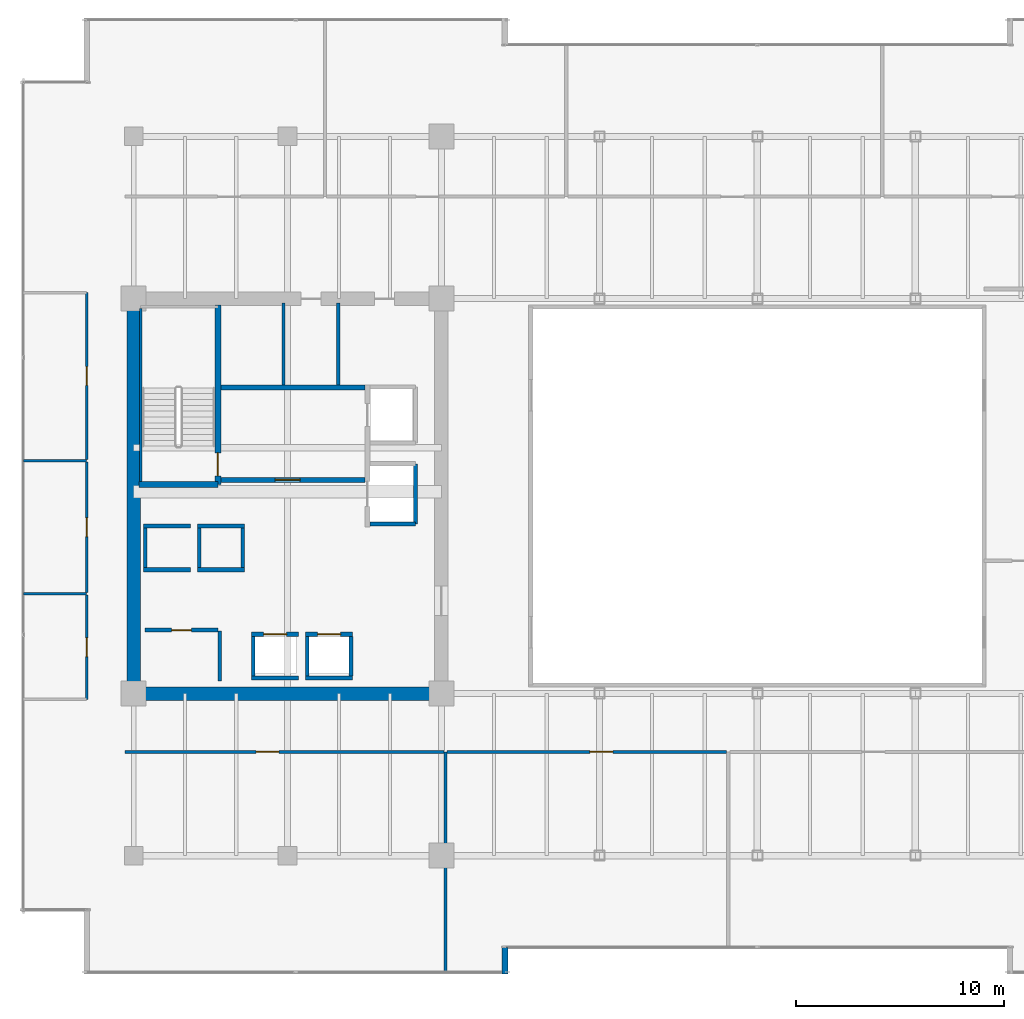
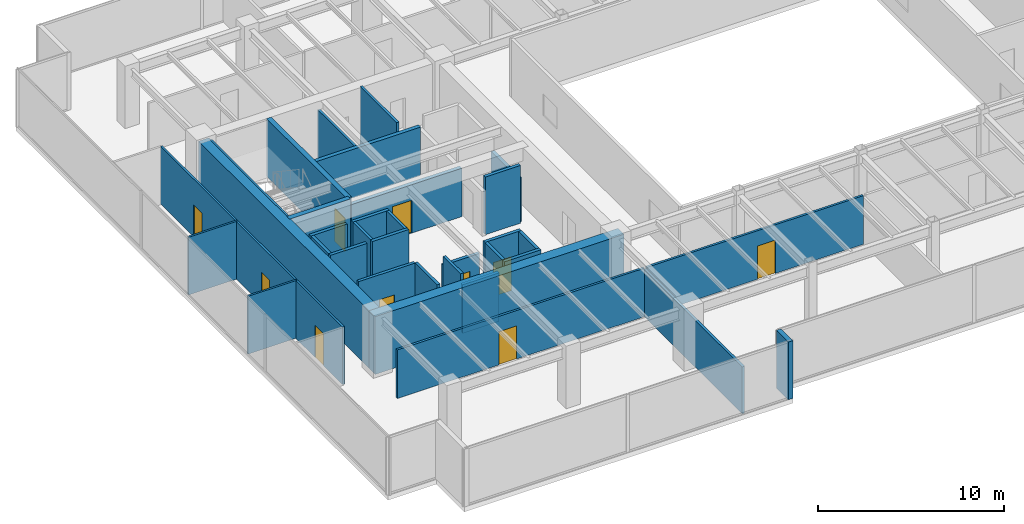
# One storey, part 25 of 31: 36 walls, 10 doors, 10 openings.
"""IFC4 building model written with IfcOpenShell, lengths in metres."""

from ifc_helpers import new_model, si_unit, direction, frame, frame_2d, origin, place, context, subcontext, project, spatial, rectangle, extrude, source, transform, mapped, material, layer, layer_set, type_object, type_shapes, element, fill, save


model = new_model("IFC4")

# Units and contexts
model_context = context("Model", 3, precision=1e-05, world=origin(), true_north=direction((0.0, 1.0)))
body_context = subcontext(model_context, "Body", "Model", "MODEL_VIEW")
ifc_project = project(units=[si_unit("LENGTHUNIT", "METRE"), si_unit("AREAUNIT", "SQUARE_METRE"), si_unit("VOLUMEUNIT", "CUBIC_METRE"), si_unit("PLANEANGLEUNIT", "RADIAN"), si_unit("MASSUNIT", "GRAM", prefix="KILO")], contexts=[model_context])

# Site, building, storey
site_placement = place(None, origin())
site = spatial("IfcSite", under=ifc_project, at=site_placement, CompositionType="ELEMENT")
building_placement = place(site_placement, origin())
building = spatial("IfcBuilding", under=site, at=building_placement, Name="Haelvirn Gate Laboratories", CompositionType="ELEMENT")
storey_placement = place(building_placement, frame((0.0, 0.0, 174.800048828125)))
storey = spatial("IfcBuildingStorey", under=building, at=storey_placement, Name="L42", CompositionType="ELEMENT", Elevation=174.800048828125)

# Walls
ifc_material_1 = material(Name="Thermally-broken bronze aluminium rainscreen & mineral wool", Category="aluminium")
ifc_layer_1 = layer(ifc_material_1, 0.280029296875, Name="EW-TERR-280")
ifc_layer_set_1 = layer_set([ifc_layer_1], Name="Thermally-broken bronze aluminium rainscreen & mineral wool")
wall_type_1 = type_object("IfcWallType", Name="EW-TERR-280", PredefinedType="STANDARD", material=ifc_layer_set_1)
wall_1_placement = place(storey_placement, frame((25.260009765625, 1.300048828125, 0.0), z_axis=(0.0, 0.0, 1.0), x_axis=(0.0, 1.0, 0.0)))
element("IfcWall", 1, at=wall_1_placement, inside=storey, type_object=wall_type_1, Name="L42 Atrium Recess Bronze Return Wall 01", PredefinedType="STANDARD", context=body_context, shape_type="SweptSolid", body=[
    extrude(rectangle(XDim=1.287841796875, YDim=0.280029296875, at=frame_2d((0.64404296875, 0.0))), origin(), (0.0, 0.0, 1.0), 3.7900390625),
])
ifc_material_2 = material(Name="Double-layer acoustic gypsum laboratory partition", Category="gypsum")
ifc_layer_2 = layer(ifc_material_2, 0.159912109375, Name="IW-ACOUST-160")
ifc_layer_set_2 = layer_set([ifc_layer_2], Name="Double-layer acoustic gypsum laboratory partition")
wall_type_2 = type_object("IfcWallType", Name="IW-ACOUST-160", PredefinedType="PARTITIONING", material=ifc_layer_set_2)
wall_2_placement = place(storey_placement, frame((22.39990234375, 1.409912109375, 0.0), z_axis=(0.0, 0.0, 1.0), x_axis=(0.0, 1.0, 0.0)))
element("IfcWall", 2, at=wall_2_placement, inside=storey, type_object=wall_type_2, Name="L42 Interior Wall IW-L42-SDIV-01", PredefinedType="PARTITIONING", context=body_context, shape_type="SweptSolid", body=[
    extrude(rectangle(XDim=10.580078125, YDim=0.159912109375, at=frame_2d((5.2900390625, 0.0))), origin(), (0.0, 0.0, 1.0), 3.074951171875),
])

# Wall, opening, door
ifc_material_3 = material(Name="Lightweight acoustic gypsum board partition", Category="gypsum")
ifc_layer_3 = layer(ifc_material_3, 0.1201171875, Name="IW-PART-120")
ifc_layer_set_3 = layer_set([ifc_layer_3], Name="Lightweight acoustic gypsum board partition")
wall_type_3 = type_object("IfcWallType", Name="IW-PART-120", PredefinedType="PARTITIONING", material=ifc_layer_set_3)
wall_3_placement = place(storey_placement, frame((5.1298828125, 14.514892578125, 0.0), z_axis=(0.0, 0.0, 1.0), x_axis=(0.0, 1.0, 0.0)))
wall_3 = element("IfcWall", 3, at=wall_3_placement, inside=storey, type_object=wall_type_3, Name="L42 Interior Wall IW-L42-WPASS-01", PredefinedType="PARTITIONING", context=body_context, shape_type="SweptSolid", body=[
    extrude(rectangle(XDim=5.025146484375, YDim=0.1201171875, at=frame_2d((2.5126953125, 0.0))), origin(), (0.0, 0.0, 1.0), 3.7900390625),
])
opening_1_placement = place(wall_3_placement, frame((2.0625, 0.0, 0.0)))
opening_1 = element("IfcOpeningElement", 4, at=opening_1_placement, cuts=wall_3, Name="Opening D4", PredefinedType="OPENING", context=body_context, shape_type="SweptSolid", body=[
    extrude(rectangle(XDim=0.89990234375, YDim=2.10009765625, at=frame_2d((0.449951171875, 1.050048828125))), frame((0.0, 0.070068359375, 0.0), z_axis=(0.0, -1.0, 0.0), x_axis=(1.0, 0.0, 0.0)), (0.0, 0.0, 1.0), 0.14013671875),
])
ifc_material_4 = material(Name="Glazed aluminium-framed write-up door", Category="aluminium")
door_type_1 = type_object("IfcDoorType", Name="DR-OFF-900", OperationType="NOTDEFINED", PredefinedType="DOOR", material=ifc_material_4)
shared_shape_1 = source(origin(), body_context, "Body", "SweptSolid", [
    extrude(rectangle(XDim=0.89990234375, YDim=2.10009765625, at=frame_2d((0.449951171875, 1.050048828125))), frame((0.0, 0.02490234375, 0.0), z_axis=(0.0, -1.0, 0.0), x_axis=(1.0, 0.0, 0.0)), (0.0, 0.0, 1.0), 0.050048828125),
])
type_shapes(door_type_1, [shared_shape_1])
door_1_placement = place(opening_1_placement, origin())
door_1 = element("IfcDoor", 5, at=door_1_placement, inside=storey, type_object=door_type_1, Name="L42 Colloquium Conference Room Door W1", OperationType="SINGLE_SWING_LEFT", OverallHeight=2.10009765625, OverallWidth=0.89990234375, PredefinedType="DOOR", context=body_context, shape_type="MappedRepresentation", body=[
    mapped(shared_shape_1, transform((0.0, 0.0, 0.0), scale=1.0)),
])
fill(opening_1, door_1)

# Wall
wall_4_placement = place(storey_placement, frame((2.110107421875, 19.60009765625, 0.0), z_axis=(0.0, 0.0, 1.0), x_axis=(1.0, 0.0, 0.0)))
element("IfcWall", 6, at=wall_4_placement, inside=storey, type_object=wall_type_3, Name="L42 Interior Wall IW-L42-WDIV-01", PredefinedType="PARTITIONING", context=body_context, shape_type="SweptSolid", body=[
    extrude(rectangle(XDim=3.019775390625, YDim=0.1201171875, at=frame_2d((1.509765625, 0.0))), origin(), (0.0, 0.0, 1.0), 3.7900390625),
])

# Wall, opening, door
wall_5_placement = place(storey_placement, frame((5.1298828125, 19.659912109375, 0.0), z_axis=(0.0, 0.0, 1.0), x_axis=(0.0, 1.0, 0.0)))
wall_5 = element("IfcWall", 7, at=wall_5_placement, inside=storey, type_object=wall_type_3, Name="L42 Interior Wall IW-L42-WPASS-02", PredefinedType="PARTITIONING", context=body_context, shape_type="SweptSolid", body=[
    extrude(rectangle(XDim=6.280029296875, YDim=0.1201171875, at=frame_2d((3.14013671875, 0.0))), origin(), (0.0, 0.0, 1.0), 3.7900390625),
])
opening_2_placement = place(wall_5_placement, frame((2.68994140625, 0.0, 0.0)))
opening_2 = element("IfcOpeningElement", 8, at=opening_2_placement, cuts=wall_5, Name="Opening D4", PredefinedType="OPENING", context=body_context, shape_type="SweptSolid", body=[
    extrude(rectangle(XDim=0.89990234375, YDim=2.10009765625, at=frame_2d((0.449951171875, 1.050048828125))), frame((0.0, 0.070068359375, 0.0), z_axis=(0.0, -1.0, 0.0), x_axis=(1.0, 0.0, 0.0)), (0.0, 0.0, 1.0), 0.14013671875),
])
door_2_placement = place(opening_2_placement, origin())
door_2 = element("IfcDoor", 9, at=door_2_placement, inside=storey, type_object=door_type_1, Name="L42 Proteomics Mass-Spec Laboratory Door W2", OperationType="SINGLE_SWING_RIGHT", OverallHeight=2.10009765625, OverallWidth=0.89990234375, PredefinedType="DOOR", context=body_context, shape_type="MappedRepresentation", body=[
    mapped(shared_shape_1, transform((0.0, 0.0, 0.0), scale=1.0)),
])
fill(opening_2, door_2)

# Wall
wall_6_placement = place(storey_placement, frame((2.110107421875, 26.0, 0.0), z_axis=(0.0, 0.0, 1.0), x_axis=(1.0, 0.0, 0.0)))
element("IfcWall", 10, at=wall_6_placement, inside=storey, type_object=wall_type_3, Name="L42 Interior Wall IW-L42-WDIV-02", PredefinedType="PARTITIONING", context=body_context, shape_type="SweptSolid", body=[
    extrude(rectangle(XDim=3.019775390625, YDim=0.1201171875, at=frame_2d((1.509765625, 0.0))), origin(), (0.0, 0.0, 1.0), 3.7900390625),
])

# Wall, opening, door
wall_7_placement = place(storey_placement, frame((5.1298828125, 26.06005859375, 0.0), z_axis=(0.0, 0.0, 1.0), x_axis=(0.0, 1.0, 0.0)))
wall_7 = element("IfcWall", 11, at=wall_7_placement, inside=storey, type_object=wall_type_3, Name="L42 Interior Wall IW-L42-WPASS-03", PredefinedType="PARTITIONING", context=body_context, shape_type="SweptSolid", body=[
    extrude(rectangle(XDim=8.02490234375, YDim=0.1201171875, at=frame_2d((4.012451171875, 0.0))), origin(), (0.0, 0.0, 1.0), 3.7900390625),
])
opening_3_placement = place(wall_7_placement, frame((3.5625, 0.0, 0.0)))
opening_3 = element("IfcOpeningElement", 12, at=opening_3_placement, cuts=wall_7, Name="Opening D4", PredefinedType="OPENING", context=body_context, shape_type="SweptSolid", body=[
    extrude(rectangle(XDim=0.89990234375, YDim=2.10009765625, at=frame_2d((0.449951171875, 1.050048828125))), frame((0.0, 0.070068359375, 0.0), z_axis=(0.0, -1.0, 0.0), x_axis=(1.0, 0.0, 0.0)), (0.0, 0.0, 1.0), 0.14013671875),
])
door_3_placement = place(opening_3_placement, origin())
door_3 = element("IfcDoor", 13, at=door_3_placement, inside=storey, type_object=door_type_1, Name="L42 Chemical Synthesis Laboratory Door W3", OperationType="SINGLE_SWING_LEFT", OverallHeight=2.10009765625, OverallWidth=0.89990234375, PredefinedType="DOOR", context=body_context, shape_type="MappedRepresentation", body=[
    mapped(shared_shape_1, transform((0.0, 0.0, 0.0), scale=1.0)),
])
fill(opening_3, door_3)

ifc_material_5 = material(Name="Acoustic mineral-wool gypsum board partition", Category="gypsum")
ifc_layer_4 = layer(ifc_material_5, 0.139892578125, Name="IW-PART-140")
ifc_layer_set_4 = layer_set([ifc_layer_4], Name="Acoustic mineral-wool gypsum board partition")
wall_type_4 = type_object("IfcWallType", Name="IW-PART-140", PredefinedType="PARTITIONING", material=ifc_layer_set_4)
wall_8_placement = place(storey_placement, frame((6.97998046875, 11.989990234375, 0.0), z_axis=(0.0, 0.0, 1.0), x_axis=(1.0, 0.0, 0.0)))
wall_8 = element("IfcWall", 14, at=wall_8_placement, inside=storey, type_object=wall_type_4, Name="L42 Interior Wall IW-L42-SCORR-01", PredefinedType="PARTITIONING", context=body_context, shape_type="SweptSolid", body=[
    extrude(rectangle(XDim=15.340087890625, YDim=0.139892578125, at=frame_2d((7.669921875, 0.0))), origin(), (0.0, 0.0, 1.0), 3.18701171875),
])
opening_4_placement = place(wall_8_placement, frame((6.3076171875, 0.0, 0.0)))
opening_4 = element("IfcOpeningElement", 15, at=opening_4_placement, cuts=wall_8, Name="Opening D1", PredefinedType="OPENING", context=body_context, shape_type="SweptSolid", body=[
    extrude(rectangle(XDim=1.10009765625, YDim=2.179931640625, at=frame_2d((0.550048828125, 1.08984375))), frame((0.0, 0.080078125, 0.0), z_axis=(0.0, -1.0, 0.0), x_axis=(1.0, 0.0, 0.0)), (0.0, 0.0, 1.0), 0.159912109375),
])
ifc_material_6 = material(Name="Vision-panel acoustic solid-core timber lab door", Category="wood")
door_type_2 = type_object("IfcDoorType", Name="DR-LAB-1100", OperationType="NOTDEFINED", PredefinedType="DOOR", material=ifc_material_6)
shared_shape_2 = source(origin(), body_context, "Body", "SweptSolid", [
    extrude(rectangle(XDim=1.10009765625, YDim=2.179931640625, at=frame_2d((0.550048828125, 1.08984375))), frame((0.0, 0.02490234375, 0.0), z_axis=(0.0, -1.0, 0.0), x_axis=(1.0, 0.0, 0.0)), (0.0, 0.0, 1.0), 0.050048828125),
])
type_shapes(door_type_2, [shared_shape_2])
door_4_placement = place(opening_4_placement, origin())
door_4 = element("IfcDoor", 16, at=door_4_placement, inside=storey, type_object=door_type_2, Name="L42 Analytical Instrument Suite Door S1", OperationType="SINGLE_SWING_LEFT", OverallHeight=2.179931640625, OverallWidth=1.10009765625, PredefinedType="DOOR", context=body_context, shape_type="MappedRepresentation", body=[
    mapped(shared_shape_2, transform((0.0, 0.0, 0.0), scale=1.0)),
])
fill(opening_4, door_4)

wall_9_placement = place(storey_placement, frame((22.47998046875, 11.989990234375, 0.0), z_axis=(0.0, 0.0, 1.0), x_axis=(1.0, 0.0, 0.0)))
wall_9 = element("IfcWall", 17, at=wall_9_placement, inside=storey, type_object=wall_type_4, Name="L42 Interior Wall IW-L42-SCORR-02", PredefinedType="PARTITIONING", context=body_context, shape_type="SweptSolid", body=[
    extrude(rectangle(XDim=13.43994140625, YDim=0.139892578125, at=frame_2d((6.719970703125, 0.0))), origin(), (0.0, 0.0, 1.0), 3.18701171875),
])
opening_5_placement = place(wall_9_placement, frame((6.868408203125, 0.0, 0.0)))
opening_5 = element("IfcOpeningElement", 18, at=opening_5_placement, cuts=wall_9, Name="Opening D1", PredefinedType="OPENING", context=body_context, shape_type="SweptSolid", body=[
    extrude(rectangle(XDim=1.10009765625, YDim=2.179931640625, at=frame_2d((0.550048828125, 1.08984375))), frame((0.0, 0.080078125, 0.0), z_axis=(0.0, -1.0, 0.0), x_axis=(1.0, 0.0, 0.0)), (0.0, 0.0, 1.0), 0.159912109375),
])
door_5_placement = place(opening_5_placement, origin())
door_5 = element("IfcDoor", 19, at=door_5_placement, inside=storey, type_object=door_type_2, Name="L42 Cleanroom Metrology Suite Door S2", OperationType="SINGLE_SWING_RIGHT", OverallHeight=2.179931640625, OverallWidth=1.10009765625, PredefinedType="DOOR", context=body_context, shape_type="MappedRepresentation", body=[
    mapped(shared_shape_2, transform((0.0, 0.0, 0.0), scale=1.0)),
])
fill(opening_5, door_5)

# Walls
ifc_material_7 = material(Name="Cement-board restroom plumbing chase wall", Category="gypsum")
ifc_layer_5 = layer(ifc_material_7, 0.155029296875, Name="IW-PLUMB-160")
ifc_layer_set_5 = layer_set([ifc_layer_5], Name="Cement-board restroom plumbing chase wall")
wall_type_5 = type_object("IfcWallType", Name="IW-PLUMB-160", PredefinedType="PLUMBINGWALL", material=ifc_layer_set_5)
wall_10_placement = place(storey_placement, frame((14.610107421875, 29.64990234375, 0.0), z_axis=(0.0, 0.0, 1.0), x_axis=(0.0, 1.0, 0.0)))
element("IfcWall", 20, at=wall_10_placement, inside=storey, type_object=wall_type_5, Name="L42 Interior Wall IW-L42-W-CDIV-0", PredefinedType="PLUMBINGWALL", context=body_context, shape_type="SweptSolid", body=[
    extrude(rectangle(XDim=3.93017578125, YDim=0.155029296875, at=frame_2d((1.965087890625, 0.0))), origin(), (0.0, 0.0, 1.0), 3.18701171875),
])
wall_11_placement = place(storey_placement, frame((17.239990234375, 29.64990234375, 0.0), z_axis=(0.0, 0.0, 1.0), x_axis=(0.0, 1.0, 0.0)))
element("IfcWall", 21, at=wall_11_placement, inside=storey, type_object=wall_type_5, Name="L42 Interior Wall IW-L42-W-CDIV-1", PredefinedType="PLUMBINGWALL", context=body_context, shape_type="SweptSolid", body=[
    extrude(rectangle(XDim=3.93017578125, YDim=0.155029296875, at=frame_2d((1.965087890625, 0.0))), origin(), (0.0, 0.0, 1.0), 3.7900390625),
])
ifc_material_8 = material(Name="Concrete C40/50", Category="concrete")
ifc_layer_6 = layer(ifc_material_8, 0.179931640625, Name="IW-SHAFT-180")
ifc_layer_set_6 = layer_set([ifc_layer_6], Name="Concrete C40/50")
wall_type_6 = type_object("IfcWallType", Name="IW-SHAFT-180", PredefinedType="SOLIDWALL", material=ifc_layer_set_6)
for number, where, z_axis, x_axis, name in (
    (22, (13.14990234375, 15.64990234375, 0.0), (0.0, 0.0, 1.0), (0.0, 1.0, 0.0), "L42 Interior Wall IW-L42-PL5-SD"),
    (23, (15.75, 15.64990234375, 0.0), (0.0, 0.0, 1.0), (0.0, 1.0, 0.0), "L42 Interior Wall IW-L42-PL6-SD"),
    (24, (17.85009765625, 15.64990234375, 0.0), (0.0, 0.0, 1.0), (0.0, 1.0, 0.0), "L42 Interior Wall IW-L42-PL6-SDE"),
):
    element("IfcWall", number, at=place(storey_placement, frame(where, z_axis=z_axis, x_axis=x_axis)), inside=storey, type_object=wall_type_6, Name=name, PredefinedType="SOLIDWALL", context=body_context, shape_type="SweptSolid", body=[
        extrude(rectangle(XDim=1.900146484375, YDim=0.179931640625, at=frame_2d((0.9501953125, 0.0))), origin(), (0.0, 0.0, 1.0), 3.7900390625),
    ])
for number, where, z_axis, x_axis, name in (
    (25, (7.949951171875, 20.85009765625, 0.0), (0.0, 0.0, 1.0), (0.0, 1.0, 0.0), "L42 Interior Wall IW-L42-PL9-SD"),
    (26, (10.550048828125, 20.85009765625, 0.0), (0.0, 0.0, 1.0), (0.0, 1.0, 0.0), "L42 Interior Wall IW-L42-PL10-SD"),
    (27, (12.64990234375, 20.85009765625, 0.0), (0.0, 0.0, 1.0), (0.0, 1.0, 0.0), "L42 Interior Wall IW-L42-PL10-SDE"),
):
    element("IfcWall", number, at=place(storey_placement, frame(where, z_axis=z_axis, x_axis=x_axis)), inside=storey, type_object=wall_type_6, Name=name, PredefinedType="SOLIDWALL", context=body_context, shape_type="SweptSolid", body=[
        extrude(rectangle(XDim=1.89990234375, YDim=0.179931640625, at=frame_2d((0.949951171875, 0.0))), origin(), (0.0, 0.0, 1.0), 3.7900390625),
    ])

# Wall, opening, door
wall_12_placement = place(storey_placement, frame((7.949951171875, 17.85009765625, 0.0), z_axis=(0.0, 0.0, 1.0), x_axis=(1.0, 0.0, 0.0)))
wall_12 = element("IfcWall", 28, at=wall_12_placement, inside=storey, type_object=wall_type_6, Name="L42 Interior Wall IW-L42-W-FREED-LN-1", PredefinedType="SOLIDWALL", context=body_context, shape_type="SweptSolid", body=[
    extrude(rectangle(XDim=3.5, YDim=0.179931640625, at=frame_2d((1.75, 0.0))), origin(), (0.0, 0.0, 1.0), 3.7900390625),
])
opening_6_placement = place(wall_12_placement, frame((1.27490234375, 0.0, 0.0)))
opening_6 = element("IfcOpeningElement", 29, at=opening_6_placement, cuts=wall_12, Name="Opening FD4", PredefinedType="OPENING", context=body_context, shape_type="SweptSolid", body=[
    extrude(rectangle(XDim=0.949951171875, YDim=2.14990234375, at=frame_2d((0.47509765625, 1.074951171875))), frame((0.0, 0.10009765625, 0.0), z_axis=(0.0, -1.0, 0.0), x_axis=(1.0, 0.0, 0.0)), (0.0, 0.0, 1.0), 0.199951171875),
])
ifc_material_9 = material(Name="Fire-rated steel SM355 core service door", Category="steel")
door_type_3 = type_object("IfcDoorType", Name="DR-FD-950", OperationType="NOTDEFINED", PredefinedType="DOOR", material=ifc_material_9)
shared_shape_3 = source(origin(), body_context, "Body", "SweptSolid", [
    extrude(rectangle(XDim=0.949951171875, YDim=2.14990234375, at=frame_2d((0.47509765625, 1.074951171875))), frame((0.0, 0.02490234375, 0.0), z_axis=(0.0, -1.0, 0.0), x_axis=(1.0, 0.0, 0.0)), (0.0, 0.0, 1.0), 0.050048828125),
])
type_shapes(door_type_3, [shared_shape_3])
door_6_placement = place(opening_6_placement, origin())
door_6 = element("IfcDoor", 30, at=door_6_placement, inside=storey, type_object=door_type_3, Name="L42 Core Calibration Room Door", OperationType="SINGLE_SWING_LEFT", OverallHeight=2.14990234375, OverallWidth=0.949951171875, PredefinedType="DOOR", context=body_context, shape_type="MappedRepresentation", body=[
    mapped(shared_shape_3, transform((0.0, 0.0, 0.0), scale=1.0)),
])
fill(opening_6, door_6)

# Wall
wall_13_placement = place(storey_placement, frame((11.5400390625, 15.39990234375, 0.0), z_axis=(0.0, 0.0, 1.0), x_axis=(0.0, 1.0, 0.0)))
element("IfcWall", 31, at=wall_13_placement, inside=storey, type_object=wall_type_6, Name="L42 Interior Wall IW-L42-W-FREED-LE-1", PredefinedType="SOLIDWALL", context=body_context, shape_type="SweptSolid", body=[
    extrude(rectangle(XDim=2.400146484375, YDim=0.179931640625, at=frame_2d((1.2001953125, 0.0))), origin(), (0.0, 0.0, 1.0), 3.7900390625),
])

# Wall, opening, door
ifc_layer_7 = layer(ifc_material_8, 0.199951171875, Name="IW-SHAFT-200")
ifc_layer_set_7 = layer_set([ifc_layer_7], Name="Concrete C40/50")
wall_type_7 = type_object("IfcWallType", Name="IW-SHAFT-200", PredefinedType="SOLIDWALL", material=ifc_layer_set_7)
wall_14_placement = place(storey_placement, frame((13.070068359375, 17.64990234375, 0.0), z_axis=(0.0, 0.0, 1.0), x_axis=(1.0, 0.0, 0.0)))
wall_14 = element("IfcWall", 32, at=wall_14_placement, inside=storey, type_object=wall_type_7, Name="L42 Interior Wall IW-L42-PL5-FR", PredefinedType="SOLIDWALL", context=body_context, shape_type="SweptSolid", body=[
    extrude(rectangle(XDim=2.260009765625, YDim=0.199951171875, at=frame_2d((1.1298828125, 0.0))), origin(), (0.0, 0.0, 1.0), 3.18701171875),
])
opening_7_placement = place(wall_14_placement, frame((0.580078125, 0.0, 0.0)))
opening_7 = element("IfcOpeningElement", 33, at=opening_7_placement, cuts=wall_14, Name="Opening LD2", PredefinedType="OPENING", context=body_context, shape_type="SweptSolid", body=[
    extrude(rectangle(XDim=1.10009765625, YDim=2.219970703125, at=frame_2d((0.550048828125, 1.10986328125))), frame((0.0, 0.10986328125, 0.0), z_axis=(0.0, -1.0, 0.0), x_axis=(1.0, 0.0, 0.0)), (0.0, 0.0, 1.0), 0.219970703125),
])
ifc_material_10 = material(Name="Bronze stainless 316L sliding lift landing door")
door_type_4 = type_object("IfcDoorType", Name="DR-LD-1100", OperationType="NOTDEFINED", PredefinedType="USERDEFINED", material=ifc_material_10)
shared_shape_4 = source(origin(), body_context, "Body", "SweptSolid", [
    extrude(rectangle(XDim=1.10009765625, YDim=2.219970703125, at=frame_2d((0.550048828125, 1.10986328125))), frame((0.0, 0.02490234375, 0.0), z_axis=(0.0, -1.0, 0.0), x_axis=(1.0, 0.0, 0.0)), (0.0, 0.0, 1.0), 0.050048828125),
])
type_shapes(door_type_4, [shared_shape_4])
door_7_placement = place(opening_7_placement, origin())
door_7 = element("IfcDoor", 34, at=door_7_placement, inside=storey, type_object=door_type_4, Name="L42 Passenger Lift PL5 Landing Door", ObjectType="LANDING_DOOR", OperationType="SLIDING_TO_LEFT", OverallHeight=2.219970703125, OverallWidth=1.10009765625, PredefinedType="USERDEFINED", context=body_context, shape_type="MappedRepresentation", body=[
    mapped(shared_shape_4, transform((0.0, 0.0, 0.0), scale=1.0)),
])
fill(opening_7, door_7)

# Wall
wall_15_placement = place(storey_placement, frame((13.070068359375, 15.550048828125, 0.0), z_axis=(0.0, 0.0, 1.0), x_axis=(1.0, 0.0, 0.0)))
element("IfcWall", 35, at=wall_15_placement, inside=storey, type_object=wall_type_7, Name="L42 Interior Wall IW-L42-PL5-BK", PredefinedType="SOLIDWALL", context=body_context, shape_type="SweptSolid", body=[
    extrude(rectangle(XDim=2.260009765625, YDim=0.199951171875, at=frame_2d((1.1298828125, 0.0))), origin(), (0.0, 0.0, 1.0), 3.18701171875),
])

# Wall, opening, door
wall_16_placement = place(storey_placement, frame((15.669921875, 17.64990234375, 0.0), z_axis=(0.0, 0.0, 1.0), x_axis=(1.0, 0.0, 0.0)))
wall_16 = element("IfcWall", 36, at=wall_16_placement, inside=storey, type_object=wall_type_7, Name="L42 Interior Wall IW-L42-PL6-FR", PredefinedType="SOLIDWALL", context=body_context, shape_type="SweptSolid", body=[
    extrude(rectangle(XDim=2.260009765625, YDim=0.199951171875, at=frame_2d((1.1298828125, 0.0))), origin(), (0.0, 0.0, 1.0), 3.7900390625),
])
opening_8_placement = place(wall_16_placement, frame((0.580078125, 0.0, 0.0)))
opening_8 = element("IfcOpeningElement", 37, at=opening_8_placement, cuts=wall_16, Name="Opening LD2", PredefinedType="OPENING", context=body_context, shape_type="SweptSolid", body=[
    extrude(rectangle(XDim=1.10009765625, YDim=2.219970703125, at=frame_2d((0.550048828125, 1.10986328125))), frame((0.0, 0.10986328125, 0.0), z_axis=(0.0, -1.0, 0.0), x_axis=(1.0, 0.0, 0.0)), (0.0, 0.0, 1.0), 0.219970703125),
])
door_8_placement = place(opening_8_placement, origin())
door_8 = element("IfcDoor", 38, at=door_8_placement, inside=storey, type_object=door_type_4, Name="L42 Passenger Lift PL6 Landing Door", ObjectType="LANDING_DOOR", OperationType="SLIDING_TO_RIGHT", OverallHeight=2.219970703125, OverallWidth=1.10009765625, PredefinedType="USERDEFINED", context=body_context, shape_type="MappedRepresentation", body=[
    mapped(shared_shape_4, transform((0.0, 0.0, 0.0), scale=1.0)),
])
fill(opening_8, door_8)

# Walls
wall_17_placement = place(storey_placement, frame((15.669921875, 15.550048828125, 0.0), z_axis=(0.0, 0.0, 1.0), x_axis=(1.0, 0.0, 0.0)))
element("IfcWall", 39, at=wall_17_placement, inside=storey, type_object=wall_type_7, Name="L42 Interior Wall IW-L42-PL6-BK", PredefinedType="SOLIDWALL", context=body_context, shape_type="SweptSolid", body=[
    extrude(rectangle(XDim=2.260009765625, YDim=0.199951171875, at=frame_2d((1.1298828125, 0.0))), origin(), (0.0, 0.0, 1.0), 3.7900390625),
])
for number, where, z_axis, x_axis, name in (
    (40, (7.8701171875, 20.75, 0.0), (0.0, 0.0, 1.0), (1.0, 0.0, 0.0), "L42 Interior Wall IW-L42-PL9-FR"),
    (41, (7.8701171875, 22.85009765625, 0.0), (0.0, 0.0, 1.0), (1.0, 0.0, 0.0), "L42 Interior Wall IW-L42-PL9-BK"),
):
    element("IfcWall", number, at=place(storey_placement, frame(where, z_axis=z_axis, x_axis=x_axis)), inside=storey, type_object=wall_type_7, Name=name, PredefinedType="SOLIDWALL", context=body_context, shape_type="SweptSolid", body=[
        extrude(rectangle(XDim=2.259765625, YDim=0.199951171875, at=frame_2d((1.1298828125, 0.0))), origin(), (0.0, 0.0, 1.0), 3.7900390625),
    ])
for number, where, z_axis, x_axis, name in (
    (42, (10.469970703125, 20.75, 0.0), (0.0, 0.0, 1.0), (1.0, 0.0, 0.0), "L42 Interior Wall IW-L42-PL10-FR"),
    (43, (10.469970703125, 22.85009765625, 0.0), (0.0, 0.0, 1.0), (1.0, 0.0, 0.0), "L42 Interior Wall IW-L42-PL10-BK"),
):
    element("IfcWall", number, at=place(storey_placement, frame(where, z_axis=z_axis, x_axis=x_axis)), inside=storey, type_object=wall_type_7, Name=name, PredefinedType="SOLIDWALL", context=body_context, shape_type="SweptSolid", body=[
        extrude(rectangle(XDim=2.260009765625, YDim=0.199951171875, at=frame_2d((1.1298828125, 0.0))), origin(), (0.0, 0.0, 1.0), 3.7900390625),
    ])
wall_18_placement = place(storey_placement, frame((20.949951171875, 22.949951171875, 0.0), z_axis=(0.0, 0.0, 1.0), x_axis=(0.0, 1.0, 0.0)))
element("IfcWall", 44, at=wall_18_placement, inside=storey, type_object=wall_type_7, Name="L42 Interior Wall IW-L42-SL1-BK", PredefinedType="SOLIDWALL", context=body_context, shape_type="SweptSolid", body=[
    extrude(rectangle(XDim=2.900146484375, YDim=0.199951171875, at=frame_2d((1.4501953125, 0.0))), origin(), (0.0, 0.0, 1.0), 2.925048828125),
])
wall_19_placement = place(storey_placement, frame((18.760009765625, 22.949951171875, 0.0), z_axis=(0.0, 0.0, 1.0), x_axis=(1.0, 0.0, 0.0)))
element("IfcWall", 45, at=wall_19_placement, inside=storey, type_object=wall_type_7, Name="L42 Interior Wall IW-L42-SL1-S", PredefinedType="SOLIDWALL", context=body_context, shape_type="SweptSolid", body=[
    extrude(rectangle(XDim=2.18994140625, YDim=0.199951171875, at=frame_2d((1.094970703125, 0.0))), origin(), (0.0, 0.0, 1.0), 3.7900390625),
])

# Wall, opening, door
ifc_layer_8 = layer(ifc_material_8, 0.239990234375, Name="IW-SHAFT-240")
ifc_layer_set_8 = layer_set([ifc_layer_8], Name="Concrete C40/50")
wall_type_8 = type_object("IfcWallType", Name="IW-SHAFT-240", PredefinedType="SOLIDWALL", material=ifc_layer_set_8)
wall_20_placement = place(storey_placement, frame((11.60009765625, 25.080078125, 0.0), z_axis=(0.0, 0.0, 1.0), x_axis=(1.0, 0.0, 0.0)))
wall_20 = element("IfcWall", 46, at=wall_20_placement, inside=storey, type_object=wall_type_8, Name="L42 Interior Wall IW-L42-W-FF-S", PredefinedType="SOLIDWALL", context=body_context, shape_type="SweptSolid", body=[
    extrude(rectangle(XDim=6.919921875, YDim=0.239990234375, at=frame_2d((3.4599609375, 0.0))), origin(), (0.0, 0.0, 1.0), 3.18701171875),
])
opening_9_placement = place(wall_20_placement, frame((2.60009765625, 0.0, 0.0)))
opening_9 = element("IfcOpeningElement", 47, at=opening_9_placement, cuts=wall_20, Name="Opening FD2", PredefinedType="OPENING", context=body_context, shape_type="SweptSolid", body=[
    extrude(rectangle(XDim=1.199951171875, YDim=2.159912109375, at=frame_2d((0.60009765625, 1.080078125))), frame((0.0, 0.1298828125, 0.0), z_axis=(0.0, -1.0, 0.0), x_axis=(1.0, 0.0, 0.0)), (0.0, 0.0, 1.0), 0.260009765625),
])
ifc_material_11 = material(Name="Fire-rated steel SM355 compartment door", Category="steel")
door_type_5 = type_object("IfcDoorType", Name="DR-FD-1200", OperationType="NOTDEFINED", PredefinedType="DOOR", material=ifc_material_11)
shared_shape_5 = source(origin(), body_context, "Body", "SweptSolid", [
    extrude(rectangle(XDim=1.199951171875, YDim=2.159912109375, at=frame_2d((0.60009765625, 1.080078125))), frame((0.0, 0.02490234375, 0.0), z_axis=(0.0, -1.0, 0.0), x_axis=(1.0, 0.0, 0.0)), (0.0, 0.0, 1.0), 0.050048828125),
])
type_shapes(door_type_5, [shared_shape_5])
door_9_placement = place(opening_9_placement, origin())
door_9 = element("IfcDoor", 48, at=door_9_placement, inside=storey, type_object=door_type_5, Name="L42 West Firefighting Lobby Door", OperationType="SINGLE_SWING_RIGHT", OverallHeight=2.159912109375, OverallWidth=1.199951171875, PredefinedType="DOOR", context=body_context, shape_type="MappedRepresentation", body=[
    mapped(shared_shape_5, transform((0.0, 0.0, 0.0), scale=1.0)),
])
fill(opening_9, door_9)

# Walls
wall_21_placement = place(storey_placement, frame((11.60009765625, 29.52001953125, 0.0), z_axis=(0.0, 0.0, 1.0), x_axis=(1.0, 0.0, 0.0)))
element("IfcWall", 49, at=wall_21_placement, inside=storey, type_object=wall_type_8, Name="L42 Interior Wall IW-L42-W-FF-N", PredefinedType="SOLIDWALL", context=body_context, shape_type="SweptSolid", body=[
    extrude(rectangle(XDim=6.919921875, YDim=0.239990234375, at=frame_2d((3.4599609375, 0.0))), origin(), (0.0, 0.0, 1.0), 3.18701171875),
])
ifc_material_12 = material(Name="Concrete C60/75", Category="concrete")
ifc_layer_9 = layer(ifc_material_12, 0.64990234375, Name="SW-CORE-650")
ifc_layer_set_9 = layer_set([ifc_layer_9], Name="Concrete C60/75")
wall_type_9 = type_object("IfcWallType", Name="SW-CORE-650", PredefinedType="SHEAR", material=ifc_layer_set_9)
wall_22_placement = place(storey_placement, frame((7.074951171875, 14.800048828125, 0.0), z_axis=(0.0, 0.0, 1.0), x_axis=(1.0, 0.0, 0.0)))
element("IfcWall", 50, at=wall_22_placement, inside=storey, type_object=wall_type_9, Name="L42 W Core Shear Wall S", PredefinedType="SHEAR", context=body_context, shape_type="SweptSolid", body=[
    extrude(rectangle(XDim=15.449951171875, YDim=0.64990234375, at=frame_2d((7.72509765625, 0.0))), origin(), (0.0, 0.0, 1.0), 3.7900390625),
])
wall_23_placement = place(storey_placement, frame((7.39990234375, 15.125, 0.0), z_axis=(0.0, 0.0, 1.0), x_axis=(0.0, 1.0, 0.0)))
element("IfcWall", 51, at=wall_23_placement, inside=storey, type_object=wall_type_9, Name="L42 W Core Shear Wall W", PredefinedType="SHEAR", context=body_context, shape_type="SweptSolid", body=[
    extrude(rectangle(XDim=18.35009765625, YDim=0.64990234375, at=frame_2d((9.175048828125, 0.0))), origin(), (0.0, 0.0, 1.0), 3.7900390625),
])
ifc_material_13 = material(Name="Concrete C50/60", Category="concrete")
ifc_layer_10 = layer(ifc_material_13, 0.1201171875, Name="SW-LINER-120")
ifc_layer_set_10 = layer_set([ifc_layer_10], Name="Concrete C50/60")
wall_type_10 = type_object("IfcWallType", Name="SW-LINER-120", PredefinedType="SOLIDWALL", material=ifc_layer_set_10)
wall_24_placement = place(storey_placement, frame((7.72998046875, 25.0, 0.0), z_axis=(0.0, 0.0, 1.0), x_axis=(0.0, 1.0, 0.0)))
element("IfcWall", 52, at=wall_24_placement, inside=storey, type_object=wall_type_10, Name="L42 W Core Stair Shaft Liner Wall OUT", PredefinedType="SOLIDWALL", context=body_context, shape_type="SweptSolid", body=[
    extrude(rectangle(XDim=8.320068359375, YDim=0.1201171875, at=frame_2d((4.16015625, 0.0))), origin(), (0.0, 0.0, 1.0), 3.7900390625),
])

# Wall, opening, door
ifc_layer_11 = layer(ifc_material_13, 0.300048828125, Name="SW-STAIR-300")
ifc_layer_set_11 = layer_set([ifc_layer_11], Name="Concrete C50/60")
wall_type_11 = type_object("IfcWallType", Name="SW-STAIR-300", PredefinedType="SHEAR", material=ifc_layer_set_11)
wall_25_placement = place(storey_placement, frame((11.449951171875, 24.85009765625, 0.0), z_axis=(0.0, 0.0, 1.0), x_axis=(0.0, 1.0, 0.0)))
wall_25 = element("IfcWall", 53, at=wall_25_placement, inside=storey, type_object=wall_type_11, Name="L42 W Core Stair Shaft Structural Wall IN", PredefinedType="SHEAR", context=body_context, shape_type="SweptSolid", body=[
    extrude(rectangle(XDim=8.6298828125, YDim=0.300048828125, at=frame_2d((4.31494140625, 0.0))), origin(), (0.0, 0.0, 1.0), 3.7900390625),
])
opening_10_placement = place(wall_25_placement, frame((0.419921875, 0.0, 0.0)))
opening_10 = element("IfcOpeningElement", 54, at=opening_10_placement, cuts=wall_25, Name="Opening FD3", PredefinedType="OPENING", context=body_context, shape_type="SweptSolid", body=[
    extrude(rectangle(XDim=1.10009765625, YDim=2.14990234375, at=frame_2d((0.550048828125, 1.074951171875))), frame((0.0, 0.16015625, 0.0), z_axis=(0.0, -1.0, 0.0), x_axis=(1.0, 0.0, 0.0)), (0.0, 0.0, 1.0), 0.320068359375),
])
ifc_material_14 = material(Name="Fire-rated steel SM355 escape stair door", Category="steel")
door_type_6 = type_object("IfcDoorType", Name="DR-FD-1100", OperationType="NOTDEFINED", PredefinedType="DOOR", material=ifc_material_14)
shared_shape_6 = source(origin(), body_context, "Body", "SweptSolid", [
    extrude(rectangle(XDim=1.10009765625, YDim=2.14990234375, at=frame_2d((0.550048828125, 1.074951171875))), frame((0.0, 0.02490234375, 0.0), z_axis=(0.0, -1.0, 0.0), x_axis=(1.0, 0.0, 0.0)), (0.0, 0.0, 1.0), 0.050048828125),
])
type_shapes(door_type_6, [shared_shape_6])
door_10_placement = place(opening_10_placement, origin())
door_10 = element("IfcDoor", 55, at=door_10_placement, inside=storey, type_object=door_type_6, Name="L42 Escape Stair ST1 Fire Door", OperationType="SINGLE_SWING_LEFT", OverallHeight=2.14990234375, OverallWidth=1.10009765625, PredefinedType="DOOR", context=body_context, shape_type="MappedRepresentation", body=[
    mapped(shared_shape_6, transform((0.0, 0.0, 0.0), scale=1.0)),
])
fill(opening_10, door_10)

# Wall
wall_26_placement = place(storey_placement, frame((7.64990234375, 24.85009765625, 0.0), z_axis=(0.0, 0.0, 1.0), x_axis=(1.0, 0.0, 0.0)))
element("IfcWall", 56, at=wall_26_placement, inside=storey, type_object=wall_type_11, Name="L42 W Core Stair Shaft Structural Wall S", PredefinedType="SHEAR", context=body_context, shape_type="SweptSolid", body=[
    extrude(rectangle(XDim=3.800048828125, YDim=0.300048828125, at=frame_2d((1.89990234375, 0.0))), origin(), (0.0, 0.0, 1.0), 3.7900390625),
])

save(model, "model.ifc")
